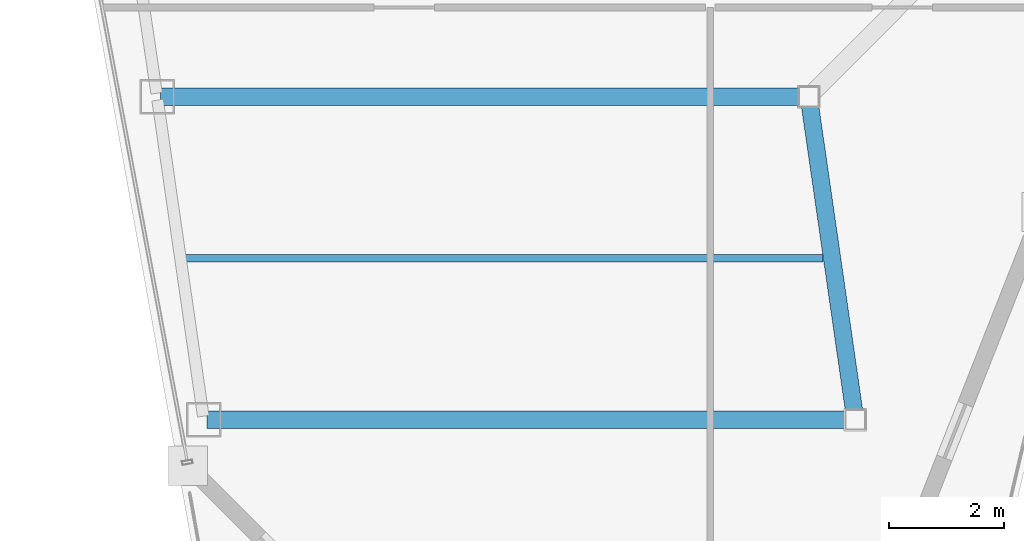
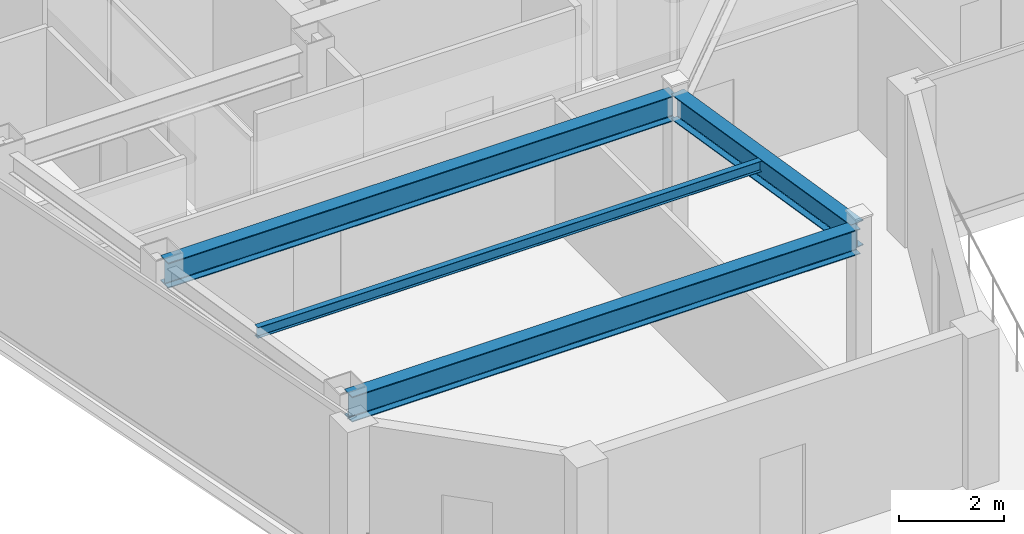
# One storey, part 4 of 25: 4 beams.
"""IFC4 building model written with IfcOpenShell, lengths in metres."""

from ifc_helpers import new_model, si_unit, direction, frame, origin, origin_2d, place, context, subcontext, project, spatial, i_section, extrude, material, material_profile, profile_set, type_object, element, save


model = new_model("IFC4")

# Units and contexts
model_context = context("Model", 3, precision=1e-05, world=origin(), true_north=direction((0.0, 1.0)))
body_context = subcontext(model_context, "Body", "Model", "MODEL_VIEW")
ifc_project = project(units=[si_unit("LENGTHUNIT", "METRE"), si_unit("AREAUNIT", "SQUARE_METRE"), si_unit("VOLUMEUNIT", "CUBIC_METRE"), si_unit("PLANEANGLEUNIT", "RADIAN"), si_unit("MASSUNIT", "GRAM", prefix="KILO")], contexts=[model_context])

# Site, building, storey
site_placement = place(None, origin())
site = spatial("IfcSite", under=ifc_project, at=site_placement, CompositionType="ELEMENT")
building_placement = place(site_placement, origin())
building = spatial("IfcBuilding", under=site, at=building_placement, Name="Saevonmaru Cultural Tower", CompositionType="ELEMENT")
storey_placement = place(building_placement, frame((0.0, 0.0, 276.199951171875)))
storey = spatial("IfcBuildingStorey", under=building, at=storey_placement, Name="L65", CompositionType="ELEMENT", Elevation=276.199951171875)

# Beams
ifc_material = material(Name="Steel SM355", Category="steel")
ifc_material_profile_1 = material_profile(ifc_material, i_section(OverallWidth=0.300048828125, OverallDepth=0.587890625, WebThickness=0.011962890625, FlangeThickness=0.02001953125, FilletRadius=0.02392578125, at=origin_2d()), Name="H-588x300x12x20")
ifc_profile_set_1 = profile_set([ifc_material_profile_1], Name="Steel SM355")
beam_type_1 = type_object("IfcBeamType", Name="BM-G-H588", PredefinedType="BEAM", material=ifc_profile_set_1)
beam_1_placement = place(storey_placement, frame((19.6083984375, 32.059326171875, 3.256103515625), z_axis=(-0.142964121327, 0.989727871697, 0.0), x_axis=(-0.989727871697, -0.142964121327, 0.0)))
element("IfcBeam", 1, at=beam_1_placement, inside=storey, type_object=beam_type_1, Name="L65 West Atrium Girder 1", PredefinedType="BEAM", context=body_context, shape_type="SweptSolid", body=[
    extrude(i_section(OverallWidth=0.300048828125, OverallDepth=0.587890625, WebThickness=0.011962890625, FlangeThickness=0.02001953125, FilletRadius=0.02392578125, at=origin_2d()), origin(), (0.0, 0.0, 1.0), 5.5380859375),
])
for number, where, z_axis, x_axis, name in (
    (2, (8.376953125, 32.0, 3.256103515625), (1.0, 0.0, 0.0), (0.0, 1.0, 0.0), "L65 West Wing Transverse Girder 1"),
    (3, (7.568115234375, 37.60009765625, 3.256103515625), (1.0, 0.0, 0.0), (0.0, 1.0, 0.0), "L65 West Wing Transverse Girder 2"),
):
    element("IfcBeam", number, at=place(storey_placement, frame(where, z_axis=z_axis, x_axis=x_axis)), inside=storey, type_object=beam_type_1, Name=name, PredefinedType="BEAM", context=body_context, shape_type="SweptSolid", body=[
        extrude(i_section(OverallWidth=0.300048828125, OverallDepth=0.587890625, WebThickness=0.011962890625, FlangeThickness=0.02001953125, FilletRadius=0.02392578125, at=origin_2d()), origin(), (0.0, 0.0, 1.0), 11.179931640625),
    ])
ifc_material_profile_2 = material_profile(ifc_material, i_section(OverallWidth=0.125, OverallDepth=0.25, WebThickness=0.006103515625, FlangeThickness=0.009033203125, FilletRadius=0.008056640625, at=origin_2d()), Name="H-250x125x6x9")
ifc_profile_set_2 = profile_set([ifc_material_profile_2], Name="Steel SM355")
beam_type_2 = type_object("IfcBeamType", Name="BM-J-H250", PredefinedType="JOIST", material=ifc_profile_set_2)
beam_2_placement = place(storey_placement, frame((7.972412109375, 34.800048828125, 3.425048828125), z_axis=(1.0, 0.0, 0.0), x_axis=(0.0, 1.0, 0.0)))
element("IfcBeam", 4, at=beam_2_placement, inside=storey, type_object=beam_type_2, Name="L65 West Wing Floor Joist 1", PredefinedType="JOIST", context=body_context, shape_type="SweptSolid", body=[
    extrude(i_section(OverallWidth=0.125, OverallDepth=0.25, WebThickness=0.006103515625, FlangeThickness=0.009033203125, FilletRadius=0.008056640625, at=origin_2d()), origin(), (0.0, 0.0, 1.0), 11.08203125),
])

save(model, "model.ifc")
